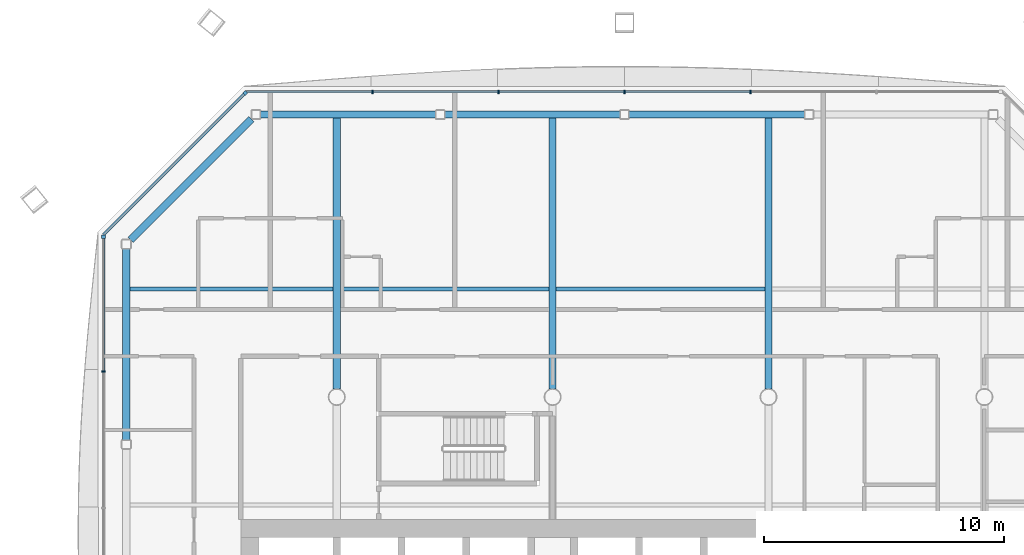
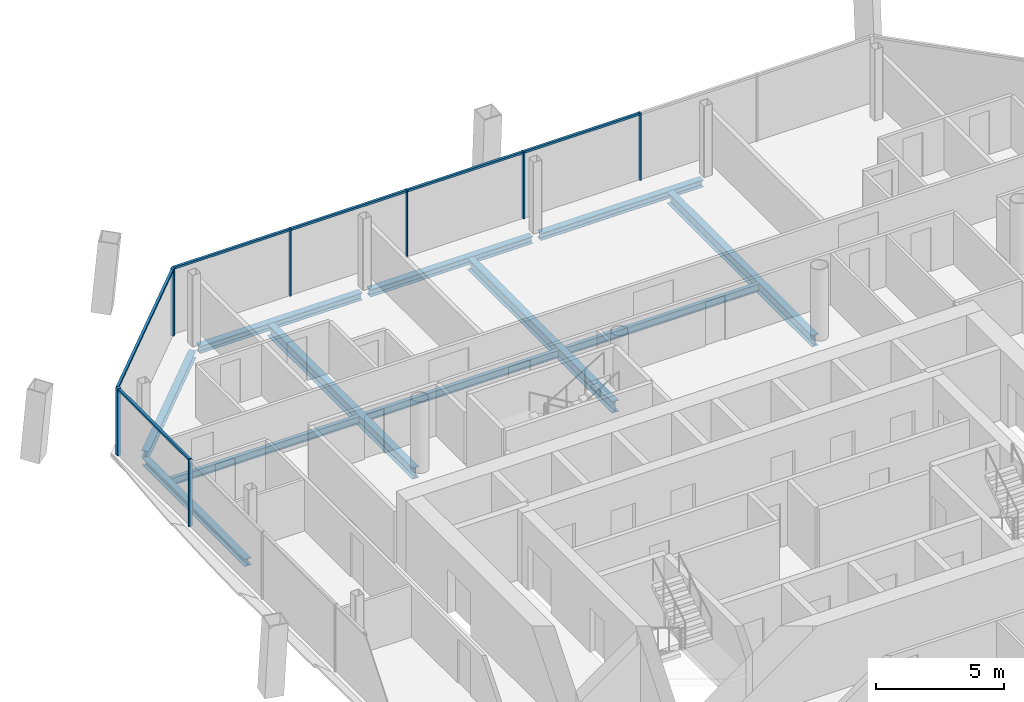
# One storey, part 9 of 18: 13 members, 11 beams, 3 elements without a shape of their own.
"""IFC4 building model written with IfcOpenShell, lengths in metres."""

from ifc_helpers import new_model, si_unit, direction, frame, origin, origin_2d, place, context, subcontext, project, spatial, rectangle, i_section, extrude, material, material_profile, profile_set, type_object, element, aggregate, save


model = new_model("IFC4")

# Units and contexts
model_context = context("Model", 3, precision=1e-05, world=origin(), true_north=direction((0.0, 1.0)))
body_context = subcontext(model_context, "Body", "Model", "MODEL_VIEW")
ifc_project = project(units=[si_unit("LENGTHUNIT", "METRE"), si_unit("AREAUNIT", "SQUARE_METRE"), si_unit("VOLUMEUNIT", "CUBIC_METRE"), si_unit("PLANEANGLEUNIT", "RADIAN"), si_unit("MASSUNIT", "GRAM", prefix="KILO")], contexts=[model_context])

# Site, building, storey
site_placement = place(None, origin())
site = spatial("IfcSite", under=ifc_project, at=site_placement, CompositionType="ELEMENT")
building_placement = place(site_placement, origin())
building = spatial("IfcBuilding", under=site, at=building_placement, Name="Tskaro Facet Tower", CompositionType="ELEMENT")
storey_placement = place(building_placement, frame((0.0, 0.0, 155.5)))
storey = spatial("IfcBuildingStorey", under=building, at=storey_placement, Name="L38", CompositionType="ELEMENT", Elevation=155.5)

# Curtain wall, member
ifc_material_1 = material(Name="Bronze anodised aluminium 6063-T6", Category="aluminium")
curtain_wall_type = type_object("IfcCurtainWallType", Name="Bronze hotel curtain wall (FW2)", PredefinedType="NOTDEFINED", material=ifc_material_1)
curtain_wall_1_placement = place(storey_placement, origin())
curtain_wall_1 = element("IfcCurtainWall", 1, at=curtain_wall_1_placement, inside=storey, type_object=curtain_wall_type, Name="FW2 north-west facet L38", PredefinedType="NOTDEFINED")
ifc_material_profile_1 = material_profile(ifc_material_1, rectangle(XDim=0.14990234375, YDim=0.14990234375, at=origin_2d()), Name="Corner post 150x150")
ifc_profile_set_1 = profile_set([ifc_material_profile_1], Name="Bronze anodised aluminium 6063-T6")
member_type_1 = type_object("IfcMemberType", Name="FW2 bronze corner post 150x150", PredefinedType="MULLION", material=ifc_profile_set_1)
member_1_placement = place(storey_placement, frame((-12.81396484375, 21.6708984375, 0.0), z_axis=(0.0, 0.0, 1.0), x_axis=(-0.707106781187, -0.707106781187, 0.0)))
member_1 = element("IfcMember", 2, at=member_1_placement, type_object=member_type_1, Name="FW2 north-west corner post", PredefinedType="MULLION", context=body_context, shape_type="SweptSolid", body=[
    extrude(rectangle(XDim=0.14990234375, YDim=0.14990234375, at=origin_2d()), origin(), (0.0, 0.0, 1.0), 3.199951171875),
])

curtain_wall_2_placement = place(storey_placement, origin())
curtain_wall_2 = element("IfcCurtainWall", 3, at=curtain_wall_2_placement, inside=storey, type_object=curtain_wall_type, Name="FW2 west facet L38", PredefinedType="NOTDEFINED")
member_2_placement = place(storey_placement, frame((-18.72412109375, 15.68603515625, 0.0), z_axis=(0.0, 0.0, 1.0), x_axis=(0.0, -1.0, 0.0)))
member_2 = element("IfcMember", 4, at=member_2_placement, type_object=member_type_1, Name="FW2 west corner post", PredefinedType="MULLION", context=body_context, shape_type="SweptSolid", body=[
    extrude(rectangle(XDim=0.14990234375, YDim=0.14990234375, at=origin_2d()), origin(), (0.0, 0.0, 1.0), 3.199951171875),
])

# Curtain wall, members
curtain_wall_3_placement = place(storey_placement, origin())
curtain_wall_3 = element("IfcCurtainWall", 5, at=curtain_wall_3_placement, inside=storey, type_object=curtain_wall_type, Name="FW2 north facet L38", PredefinedType="NOTDEFINED")
ifc_material_profile_2 = material_profile(ifc_material_1, rectangle(XDim=0.06005859375, YDim=0.14990234375, at=origin_2d()), Name="Mullion 60x150")
ifc_profile_set_2 = profile_set([ifc_material_profile_2], Name="Bronze anodised aluminium 6063-T6")
member_type_2 = type_object("IfcMemberType", Name="FW2 bronze mullion 60x150", PredefinedType="MULLION", material=ifc_profile_set_2)
member_3_placement = place(storey_placement, frame((8.253662109375, 21.72412109375, 0.0), z_axis=(0.0, 0.0, 1.0), x_axis=(-1.0, 0.0, 0.0)))
member_3 = element("IfcMember", 6, at=member_3_placement, type_object=member_type_2, Name="FW2 north mullion 2", PredefinedType="MULLION", context=body_context, shape_type="SweptSolid", body=[
    extrude(rectangle(XDim=0.06005859375, YDim=0.14990234375, at=origin_2d()), origin(), (0.0, 0.0, 1.0), 3.199951171875),
])
member_4_placement = place(storey_placement, frame((3.0, 21.72412109375, 0.0), z_axis=(0.0, 0.0, 1.0), x_axis=(-1.0, 0.0, 0.0)))
member_4 = element("IfcMember", 7, at=member_4_placement, type_object=member_type_2, Name="FW2 north mullion 3", PredefinedType="MULLION", context=body_context, shape_type="SweptSolid", body=[
    extrude(rectangle(XDim=0.06005859375, YDim=0.14990234375, at=origin_2d()), origin(), (0.0, 0.0, 1.0), 3.199951171875),
])
member_5_placement = place(storey_placement, frame((-2.253662109375, 21.72412109375, 0.0), z_axis=(0.0, 0.0, 1.0), x_axis=(-1.0, 0.0, 0.0)))
member_5 = element("IfcMember", 8, at=member_5_placement, type_object=member_type_2, Name="FW2 north mullion 4", PredefinedType="MULLION", context=body_context, shape_type="SweptSolid", body=[
    extrude(rectangle(XDim=0.06005859375, YDim=0.14990234375, at=origin_2d()), origin(), (0.0, 0.0, 1.0), 3.199951171875),
])
member_6_placement = place(storey_placement, frame((-7.50732421875, 21.72412109375, 0.0), z_axis=(0.0, 0.0, 1.0), x_axis=(-1.0, 0.0, 0.0)))
member_6 = element("IfcMember", 9, at=member_6_placement, type_object=member_type_2, Name="FW2 north mullion 5", PredefinedType="MULLION", context=body_context, shape_type="SweptSolid", body=[
    extrude(rectangle(XDim=0.06005859375, YDim=0.14990234375, at=origin_2d()), origin(), (0.0, 0.0, 1.0), 3.199951171875),
])

# Member
member_7_placement = place(storey_placement, frame((-18.72412109375, 10.06884765625, 0.0), z_axis=(0.0, 0.0, 1.0), x_axis=(0.0, -1.0, 0.0)))
member_7 = element("IfcMember", 10, at=member_7_placement, type_object=member_type_2, Name="FW2 west mullion 1", PredefinedType="MULLION", context=body_context, shape_type="SweptSolid", body=[
    extrude(rectangle(XDim=0.06005859375, YDim=0.14990234375, at=origin_2d()), origin(), (0.0, 0.0, 1.0), 3.199951171875),
])

ifc_material_profile_3 = material_profile(ifc_material_1, rectangle(XDim=0.110107421875, YDim=0.10009765625, at=origin_2d()), Name="Transom 110x100")
ifc_profile_set_3 = profile_set([ifc_material_profile_3], Name="Bronze anodised aluminium 6063-T6")
member_type_3 = type_object("IfcMemberType", Name="FW2 bronze transom 110x100", PredefinedType="USERDEFINED", material=ifc_profile_set_3)
member_8_placement = place(storey_placement, frame((8.2236328125, 21.72412109375, 3.14990234375), z_axis=(-1.0, 0.0, 0.0), x_axis=(0.0, -1.0, 0.0)))
member_8 = element("IfcMember", 11, at=member_8_placement, type_object=member_type_3, Name="FW2 north transom 3.1", ObjectType="TRANSOM", PredefinedType="USERDEFINED", context=body_context, shape_type="SweptSolid", body=[
    extrude(rectangle(XDim=0.110107421875, YDim=0.10009765625, at=origin_2d()), origin(), (0.0, 0.0, 1.0), 5.193603515625),
])

member_9_placement = place(storey_placement, frame((2.969970703125, 21.72412109375, 3.14990234375), z_axis=(-1.0, 0.0, 0.0), x_axis=(0.0, -1.0, 0.0)))
member_9 = element("IfcMember", 12, at=member_9_placement, type_object=member_type_3, Name="FW2 north transom 4.1", ObjectType="TRANSOM", PredefinedType="USERDEFINED", context=body_context, shape_type="SweptSolid", body=[
    extrude(rectangle(XDim=0.110107421875, YDim=0.10009765625, at=origin_2d()), origin(), (0.0, 0.0, 1.0), 5.193603515625),
])

member_10_placement = place(storey_placement, frame((-2.28369140625, 21.72412109375, 3.14990234375), z_axis=(-1.0, 0.0, 0.0), x_axis=(0.0, -1.0, 0.0)))
member_10 = element("IfcMember", 13, at=member_10_placement, type_object=member_type_3, Name="FW2 north transom 5.1", ObjectType="TRANSOM", PredefinedType="USERDEFINED", context=body_context, shape_type="SweptSolid", body=[
    extrude(rectangle(XDim=0.110107421875, YDim=0.10009765625, at=origin_2d()), origin(), (0.0, 0.0, 1.0), 5.193603515625),
])

member_11_placement = place(storey_placement, frame((-7.537353515625, 21.72412109375, 3.14990234375), z_axis=(-1.0, 0.0, 0.0), x_axis=(0.0, -1.0, 0.0)))
member_11 = element("IfcMember", 14, at=member_11_placement, type_object=member_type_3, Name="FW2 north transom 6.1", ObjectType="TRANSOM", PredefinedType="USERDEFINED", context=body_context, shape_type="SweptSolid", body=[
    extrude(rectangle(XDim=0.110107421875, YDim=0.10009765625, at=origin_2d()), origin(), (0.0, 0.0, 1.0), 5.2236328125),
])

aggregate(curtain_wall_3, [member_3, member_4, member_5, member_6, member_8, member_9, member_10, member_11])

member_12_placement = place(storey_placement, frame((-12.8671875, 21.617919921875, 3.14990234375), z_axis=(-0.707106781187, -0.707106781187, 0.0), x_axis=(0.707106781187, -0.707106781187, 0.0)))
member_12 = element("IfcMember", 15, at=member_12_placement, type_object=member_type_3, Name="FW2 north-west transom 1.1", ObjectType="TRANSOM", PredefinedType="USERDEFINED", context=body_context, shape_type="SweptSolid", body=[
    extrude(rectangle(XDim=0.110107421875, YDim=0.10009765625, at=origin_2d()), origin(), (0.0, 0.0, 1.0), 8.282958984375),
])

aggregate(curtain_wall_1, [member_1, member_12])

member_13_placement = place(storey_placement, frame((-18.72412109375, 15.611083984375, 3.14990234375), z_axis=(0.0, -1.0, 0.0), x_axis=(1.0, 0.0, 0.0)))
member_13 = element("IfcMember", 16, at=member_13_placement, type_object=member_type_3, Name="FW2 west transom 1.1", ObjectType="TRANSOM", PredefinedType="USERDEFINED", context=body_context, shape_type="SweptSolid", body=[
    extrude(rectangle(XDim=0.110107421875, YDim=0.10009765625, at=origin_2d()), origin(), (0.0, 0.0, 1.0), 5.51220703125),
])

aggregate(curtain_wall_2, [member_2, member_7, member_13])

# Beams
ifc_material_2 = material(Name="Steel S355J2", Category="steel")
ifc_material_profile_4 = material_profile(ifc_material_2, i_section(OverallWidth=0.300048828125, OverallDepth=0.340087890625, WebThickness=0.011962890625, FlangeThickness=0.021484375, FilletRadius=0.027099609375, at=origin_2d()), Name="HE 340 B")
ifc_profile_set_4 = profile_set([ifc_material_profile_4], Name="Steel S355J2")
beam_type_1 = type_object("IfcBeamType", Name="HE 340 B ring beam", PredefinedType="BEAM", material=ifc_profile_set_4)
for number, where, z_axis, x_axis, name in (
    (17, (10.50390625, 20.77392578125, -0.31005859375), (-1.0, 0.0, 0.0), (0.0, -1.0, 0.0), "HE 340 B EB12-3"),
    (18, (2.820068359375, 20.77392578125, -0.31005859375), (-1.0, 0.0, 0.0), (0.0, -1.0, 0.0), "HE 340 B EB13-3"),
    (19, (-4.864013671875, 20.77392578125, -0.31005859375), (-1.0, 0.0, 0.0), (0.0, -1.0, 0.0), "HE 340 B EB14-3"),
):
    element("IfcBeam", number, at=place(storey_placement, frame(where, z_axis=z_axis, x_axis=x_axis)), inside=storey, type_object=beam_type_1, Name=name, PredefinedType="BEAM", context=body_context, shape_type="SweptSolid", body=[
        extrude(i_section(OverallWidth=0.300048828125, OverallDepth=0.340087890625, WebThickness=0.011962890625, FlangeThickness=0.021484375, FilletRadius=0.027099609375, at=origin_2d()), origin(), (0.0, 0.0, 1.0), 7.323974609375),
    ])
beam_1_placement = place(storey_placement, frame((-12.553955078125, 20.588134765625, -0.31005859375), z_axis=(-0.707106781187, -0.707106781187, 0.0), x_axis=(0.707106781187, -0.707106781187, 0.0)))
element("IfcBeam", 20, at=beam_1_placement, inside=storey, type_object=beam_type_1, Name="HE 340 B EB15-3", PredefinedType="BEAM", context=body_context, shape_type="SweptSolid", body=[
    extrude(i_section(OverallWidth=0.300048828125, OverallDepth=0.340087890625, WebThickness=0.011962890625, FlangeThickness=0.021484375, FilletRadius=0.027099609375, at=origin_2d()), origin(), (0.0, 0.0, 1.0), 7.119384765625),
])
beam_2_placement = place(storey_placement, frame((-17.77392578125, 15.18798828125, -0.31005859375), z_axis=(0.0, -1.0, 0.0), x_axis=(1.0, 0.0, 0.0)))
element("IfcBeam", 21, at=beam_2_placement, inside=storey, type_object=beam_type_1, Name="HE 340 B EB16-3", PredefinedType="BEAM", context=body_context, shape_type="SweptSolid", body=[
    extrude(i_section(OverallWidth=0.300048828125, OverallDepth=0.340087890625, WebThickness=0.011962890625, FlangeThickness=0.021484375, FilletRadius=0.027099609375, at=origin_2d()), origin(), (0.0, 0.0, 1.0), 7.98193359375),
])
ifc_material_profile_5 = material_profile(ifc_material_2, i_section(OverallWidth=0.300048828125, OverallDepth=0.5400390625, WebThickness=0.012451171875, FlangeThickness=0.02392578125, FilletRadius=0.027099609375, at=origin_2d()), Name="HE 550 A")
ifc_profile_set_5 = profile_set([ifc_material_profile_5], Name="Steel S355J2")
beam_type_2 = type_object("IfcBeamType", Name="HE 550 A long girder", PredefinedType="BEAM", material=ifc_profile_set_5)
for number, where, z_axis, x_axis, name in (
    (22, (-9.0, 9.325439453125, -0.409912109375), (0.0, 1.0, 0.0), (-1.0, 0.0, 0.0), "HE 550 A LGB3-3-3"),
    (23, (0.0, 9.325439453125, -0.409912109375), (0.0, 1.0, 0.0), (-1.0, 0.0, 0.0), "HE 550 A LGB4-3-3"),
    (24, (9.0, 9.325439453125, -0.409912109375), (0.0, 1.0, 0.0), (-1.0, 0.0, 0.0), "HE 550 A LGB5-3-3"),
):
    element("IfcBeam", number, at=place(storey_placement, frame(where, z_axis=z_axis, x_axis=x_axis)), inside=storey, type_object=beam_type_2, Name=name, PredefinedType="BEAM", context=body_context, shape_type="SweptSolid", body=[
        extrude(i_section(OverallWidth=0.300048828125, OverallDepth=0.5400390625, WebThickness=0.012451171875, FlangeThickness=0.02392578125, FilletRadius=0.027099609375, at=origin_2d()), origin(), (0.0, 0.0, 1.0), 11.298583984375),
    ])
ifc_material_profile_6 = material_profile(ifc_material_2, i_section(OverallWidth=0.169921875, OverallDepth=0.360107421875, WebThickness=0.008056640625, FlangeThickness=0.0126953125, FilletRadius=0.01806640625, at=origin_2d()), Name="IPE 360")
ifc_profile_set_6 = profile_set([ifc_material_profile_6], Name="Steel S355J2")
beam_type_3 = type_object("IfcBeamType", Name="IPE 360 secondary beam", PredefinedType="BEAM", material=ifc_profile_set_6)
beam_3_placement = place(storey_placement, frame((-17.6240234375, 13.5, -0.320068359375), z_axis=(1.0, 0.0, 0.0), x_axis=(0.0, 1.0, 0.0)))
element("IfcBeam", 25, at=beam_3_placement, inside=storey, type_object=beam_type_3, Name="IPE 360 SB5a-1-3", PredefinedType="BEAM", context=body_context, shape_type="SweptSolid", body=[
    extrude(i_section(OverallWidth=0.169921875, OverallDepth=0.360107421875, WebThickness=0.008056640625, FlangeThickness=0.0126953125, FilletRadius=0.01806640625, at=origin_2d()), origin(), (0.0, 0.0, 1.0), 8.47412109375),
])
for number, where, z_axis, x_axis, name in (
    (26, (-8.85009765625, 13.5, -0.320068359375), (1.0, 0.0, 0.0), (0.0, 1.0, 0.0), "IPE 360 SB5a-2-3"),
    (27, (0.14990234375, 13.5, -0.320068359375), (1.0, 0.0, 0.0), (0.0, 1.0, 0.0), "IPE 360 SB5a-3-3"),
):
    element("IfcBeam", number, at=place(storey_placement, frame(where, z_axis=z_axis, x_axis=x_axis)), inside=storey, type_object=beam_type_3, Name=name, PredefinedType="BEAM", context=body_context, shape_type="SweptSolid", body=[
        extrude(i_section(OverallWidth=0.169921875, OverallDepth=0.360107421875, WebThickness=0.008056640625, FlangeThickness=0.0126953125, FilletRadius=0.01806640625, at=origin_2d()), origin(), (0.0, 0.0, 1.0), 8.7001953125),
    ])

save(model, "model.ifc")
